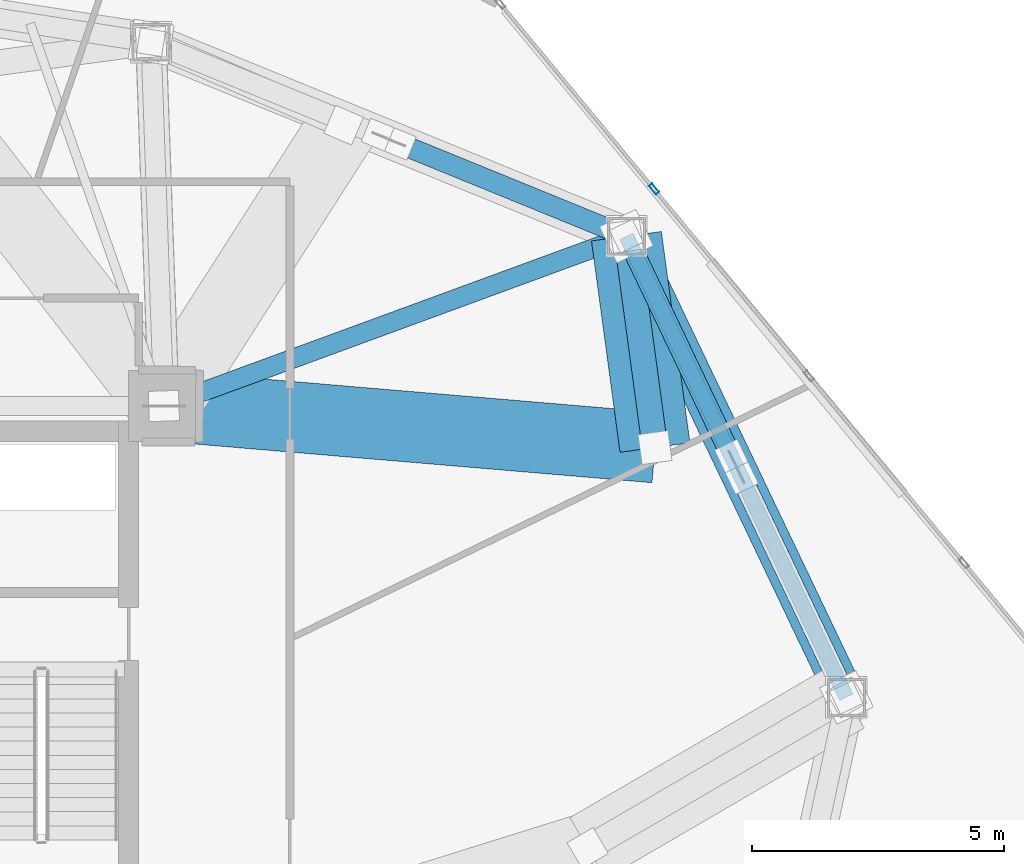
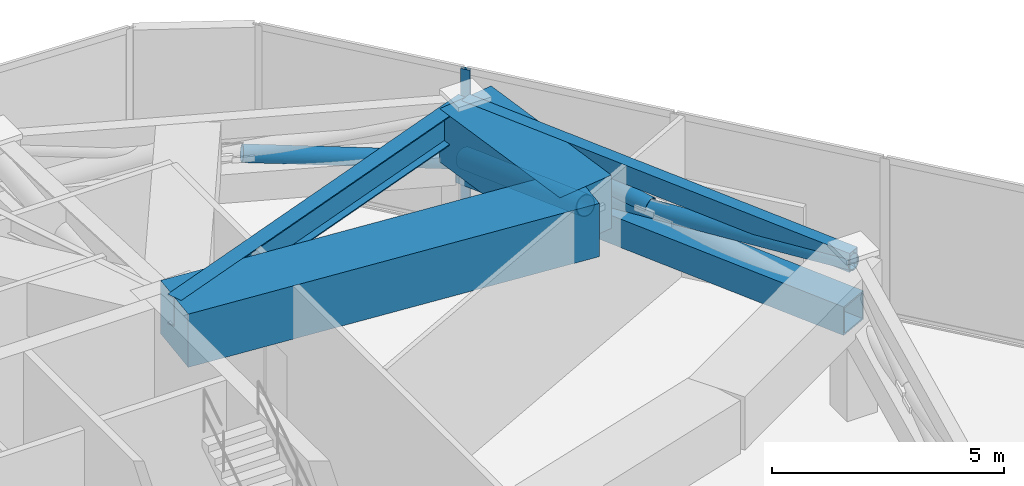
# One storey, part 14 of 25: 6 members, 4 beams, 1 element without a shape of its own.
"""IFC4 building model written with IfcOpenShell, lengths in metres."""

from ifc_helpers import new_model, si_unit, direction, frame, origin, origin_2d, place, context, subcontext, project, spatial, rectangle, hollow_rectangle, hollow_circle, i_section, extrude, source, transform, mapped, material, layer, layer_set, material_profile, profile_set, type_object, type_shapes, element, aggregate, save


model = new_model("IFC4")

# Units and contexts
model_context = context("Model", 3, precision=1e-05, world=origin(), true_north=direction((0.0, 1.0)))
body_context = subcontext(model_context, "Body", "Model", "MODEL_VIEW")
ifc_project = project(units=[si_unit("LENGTHUNIT", "METRE"), si_unit("AREAUNIT", "SQUARE_METRE"), si_unit("VOLUMEUNIT", "CUBIC_METRE"), si_unit("PLANEANGLEUNIT", "RADIAN"), si_unit("MASSUNIT", "GRAM", prefix="KILO")], contexts=[model_context])

# Site, building, storey
site_placement = place(None, origin())
site = spatial("IfcSite", under=ifc_project, at=site_placement, CompositionType="ELEMENT")
building_placement = place(site_placement, origin())
building = spatial("IfcBuilding", under=site, at=building_placement, Name="Talar Marvaseh", CompositionType="ELEMENT")
storey_placement = place(building_placement, frame((0.0, 0.0, 84.800048828125)))
storey = spatial("IfcBuildingStorey", under=building, at=storey_placement, Name="L21", CompositionType="ELEMENT", Elevation=84.800048828125)

# Beams
ifc_material_1 = material(Name="Concrete C70/85", Category="concrete")
ifc_material_profile_1 = material_profile(ifc_material_1, rectangle(XDim=1.39990234375, YDim=1.39990234375, at=origin_2d()), Name="RC1400x1400")
ifc_profile_set_1 = profile_set([ifc_material_profile_1], Name="Concrete C70/85")
beam_type_1 = type_object("IfcBeamType", Name="Setback Deep Concrete Transfer Girder RC1400x1400", PredefinedType="BEAM", material=ifc_profile_set_1)
beam_1_placement = place(storey_placement, frame((42.47705078125, 40.26904296875, 3.449951171875), z_axis=(0.133977623158, -0.99098435734, 0.0), x_axis=(0.99098435734, 0.133977623158, 0.0)))
element("IfcBeam", 1, at=beam_1_placement, inside=storey, type_object=beam_type_1, Name="L21 Setback Cantilever Transfer Girder 2", PredefinedType="BEAM", context=body_context, shape_type="SweptSolid", body=[
    extrude(rectangle(XDim=1.39990234375, YDim=1.39990234375, at=origin_2d()), origin(), (0.0, 0.0, 1.0), 4.231201171875),
])
beam_2_placement = place(storey_placement, frame((43.0439453125, 36.075927734375, 3.449951171875), z_axis=(-0.996443598923, 0.084262412527, 0.0), x_axis=(-0.084262412527, -0.996443598923, 0.0)))
element("IfcBeam", 2, at=beam_2_placement, inside=storey, type_object=beam_type_1, Name="L21 Setback Backspan Transfer Girder 2", PredefinedType="BEAM", context=body_context, shape_type="SweptSolid", body=[
    extrude(rectangle(XDim=1.39990234375, YDim=1.39990234375, at=origin_2d()), origin(), (0.0, 0.0, 1.0), 9.778564453125),
])
ifc_material_2 = material(Name="Steel S355", Category="steel")
ifc_material_profile_2 = material_profile(ifc_material_2, hollow_rectangle(XDim=0.300048828125, YDim=0.5, WallThickness=0.02001953125, at=origin_2d()), Name="RHS500x300x20")
ifc_profile_set_2 = profile_set([ifc_material_profile_2], Name="Steel S355")
beam_type_2 = type_object("IfcBeamType", Name="Zone 1 Perimeter Spandrel Beam RHS500x300x20", PredefinedType="SPANDREL", material=ifc_profile_set_2)
beam_3_placement = place(storey_placement, frame((42.47705078125, 40.26904296875, 3.89990234375), z_axis=(0.430480372911, -0.902599938255, 0.0), x_axis=(0.902599938255, 0.430480372911, 0.0)))
element("IfcBeam", 3, at=beam_3_placement, inside=storey, type_object=beam_type_2, Name="L21 Zone 1 Perimeter Spandrel Beam RHS500x300x20", PredefinedType="SPANDREL", context=body_context, shape_type="SweptSolid", body=[
    extrude(hollow_rectangle(XDim=0.300048828125, YDim=0.5, WallThickness=0.02001953125, at=origin_2d()), origin(), (0.0, 0.0, 1.0), 10.137451171875),
])
ifc_material_profile_3 = material_profile(ifc_material_2, i_section(OverallWidth=0.381103515625, OverallDepth=0.77294921875, WebThickness=0.0166015625, FlangeThickness=0.027099609375, at=origin_2d()), Name="W760x257")
ifc_profile_set_3 = profile_set([ifc_material_profile_3], Name="Steel S355")
beam_type_3 = type_object("IfcBeamType", Name="Zone 1 Radial Floor Girder W760x257", PredefinedType="BEAM", material=ifc_profile_set_3)
beam_4_placement = place(storey_placement, frame((42.47705078125, 40.26904296875, 3.763427734375), z_axis=(-0.938736057616, -0.344636930887, 0.0), x_axis=(0.344636930887, -0.938736057616, 0.0)))
element("IfcBeam", 4, at=beam_4_placement, inside=storey, type_object=beam_type_3, Name="L21 Zone 1 Radial Floor Girder W760x257", PredefinedType="BEAM", context=body_context, shape_type="SweptSolid", body=[
    extrude(i_section(OverallWidth=0.381103515625, OverallDepth=0.77294921875, WebThickness=0.0166015625, FlangeThickness=0.027099609375, at=origin_2d()), origin(), (0.0, 0.0, 1.0), 9.77587890625),
])

# Members
ifc_material_3 = material(Name="Steel S460", Category="steel")
ifc_material_profile_4 = material_profile(ifc_material_3, hollow_circle(Radius=0.25390625, WallThickness=0.02001953125, at=origin_2d()), Name="CHS508x20")
ifc_profile_set_4 = profile_set([ifc_material_profile_4], Name="Steel S460")
member_type_1 = type_object("IfcMemberType", Name="Crown Frame Diagonal Brace CHS508x20", PredefinedType="BRACE", material=ifc_profile_set_4)
shared_shape_1 = source(origin(), body_context, "Body", "SweptSolid", [
    extrude(hollow_circle(Radius=0.25390625, WallThickness=0.02001953125, at=origin_2d()), origin(), (0.0, 0.0, 1.0), 4.371826171875),
])
type_shapes(member_type_1, [shared_shape_1])
member_1_placement = place(storey_placement, frame((42.47705078125, 40.26904296875, 2.550048828125), z_axis=(0.129668609836, -0.959112133477, 0.251574973002), x_axis=(0.99098435734, 0.133977623158, 0.0)))
element("IfcMember", 5, at=member_1_placement, inside=storey, type_object=member_type_1, Name="L21 Setback Transfer Raked Strut 2", PredefinedType="BRACE", context=body_context, shape_type="MappedRepresentation", body=[
    mapped(shared_shape_1, transform((0.0, 0.0, 0.0), x_axis=(1.0, 0.0, 0.0), y_axis=(0.0, 1.0, 0.0), z_axis=(0.0, 0.0, 1.0), scale=1.0)),
])
ifc_material_profile_5 = material_profile(ifc_material_3, hollow_rectangle(XDim=0.75, YDim=0.75, WallThickness=0.0400390625, at=origin_2d()), Name="BOX750x750x40")
ifc_profile_set_5 = profile_set([ifc_material_profile_5], Name="Steel S460")
member_type_2 = type_object("IfcMemberType", Name="Belt Truss Chord Member BOX750x750x40", PredefinedType="CHORD", material=ifc_profile_set_5)
shared_shape_2 = source(origin(), body_context, "Body", "SweptSolid", [
    extrude(hollow_rectangle(XDim=0.75, YDim=0.75, WallThickness=0.0400390625, at=origin_2d()), origin(), (0.0, 0.0, 1.0), 10.137451171875),
])
type_shapes(member_type_2, [shared_shape_2])
member_2_placement = place(storey_placement, frame((42.47705078125, 40.26904296875, 2.5), z_axis=(0.430480372911, -0.902599938255, 0.0), x_axis=(0.902599938255, 0.430480372911, 0.0)))
element("IfcMember", 6, at=member_2_placement, inside=storey, type_object=member_type_2, Name="L21 Belt Truss Bottom Chord 1", PredefinedType="CHORD", context=body_context, shape_type="MappedRepresentation", body=[
    mapped(shared_shape_2, transform((0.0, 0.0, 0.0), x_axis=(1.0, 0.0, 0.0), y_axis=(0.0, 1.0, 0.0), z_axis=(0.0, 0.0, 1.0), scale=1.0)),
])
ifc_material_profile_6 = material_profile(ifc_material_3, hollow_circle(Radius=0.203125, WallThickness=0.01611328125, at=origin_2d()), Name="CHS406x16")
ifc_profile_set_6 = profile_set([ifc_material_profile_6], Name="Steel S460")
member_type_3 = type_object("IfcMemberType", Name="Belt Truss Diagonal Brace CHS406x16", PredefinedType="BRACE", material=ifc_profile_set_6)
shared_shape_3 = source(origin(), body_context, "Body", "SweptSolid", [
    extrude(hollow_circle(Radius=0.203125, WallThickness=0.01611328125, at=origin_2d()), origin(), (0.0, 0.0, 1.0), 10.22705078125),
])
member_3_placement = place(storey_placement, frame((42.47705078125, 40.26904296875, 2.5), z_axis=(0.426714180212, -0.894703259309, 0.131988962371), x_axis=(0.902599938255, 0.430480372911, 0.0)))
element("IfcMember", 7, at=member_3_placement, inside=storey, type_object=member_type_3, Name="L21 Belt Truss Continuous Diagonal 1", PredefinedType="BRACE", context=body_context, shape_type="MappedRepresentation", body=[
    mapped(shared_shape_3, transform((0.0, 0.0, 0.0), x_axis=(1.0, 0.0, 0.0), y_axis=(0.0, 1.0, 0.0), z_axis=(0.0, 0.0, 1.0), scale=1.0)),
])
shared_shape_4 = source(origin(), body_context, "Body", "SweptSolid", [
    extrude(hollow_circle(Radius=0.203125, WallThickness=0.01611328125, at=origin_2d()), origin(), (0.0, 0.0, 1.0), 4.87353515625),
])
member_4_placement = place(storey_placement, frame((44.556640625, 35.90869140625, 3.20654296875), z_axis=(-0.426711979223, 0.89470250633, 0.132001181645), x_axis=(-0.902600660232, -0.430478859119, 0.0)))
element("IfcMember", 8, at=member_4_placement, inside=storey, type_object=member_type_3, Name="L21 Belt Truss Split Diagonal Upper 1", PredefinedType="BRACE", context=body_context, shape_type="MappedRepresentation", body=[
    mapped(shared_shape_4, transform((0.0, 0.0, 0.0), x_axis=(1.0, 0.0, 0.0), y_axis=(0.0, 1.0, 0.0), z_axis=(0.0, 0.0, 1.0), scale=1.0)),
])
shared_shape_5 = source(origin(), body_context, "Body", "SweptSolid", [
    extrude(hollow_circle(Radius=0.203125, WallThickness=0.01611328125, at=origin_2d()), origin(), (0.0, 0.0, 1.0), 4.897705078125),
])
type_shapes(member_type_3, [shared_shape_3, shared_shape_4, shared_shape_5])
member_5_placement = place(storey_placement, frame((42.47705078125, 40.26904296875, 2.5), z_axis=(-0.917846519005, 0.37455595198, 0.131398654434), x_axis=(-0.377831902318, -0.925874210458, 0.0)))
element("IfcMember", 9, at=member_5_placement, inside=storey, type_object=member_type_3, Name="L21 Belt Truss Split Diagonal Lower 12", PredefinedType="BRACE", context=body_context, shape_type="MappedRepresentation", body=[
    mapped(shared_shape_5, transform((0.0, 0.0, 0.0), x_axis=(1.0, 0.0, 0.0), y_axis=(0.0, 1.0, 0.0), z_axis=(0.0, 0.0, 1.0), scale=1.0)),
])

# Curtain wall, member
ifc_material_4 = material(Name="Architectural Aluminium", Category="aluminium")
ifc_layer = layer(ifc_material_4, 0.219970703125)
ifc_layer_set = layer_set([ifc_layer], Name="Architectural Aluminium")
curtain_wall_type = type_object("IfcCurtainWallType", Name="Unitised Low-E Museum Curtain Wall Z1", PredefinedType="NOTDEFINED", material=ifc_layer_set)
curtain_wall_placement = place(storey_placement, origin())
curtain_wall = element("IfcCurtainWall", 10, at=curtain_wall_placement, inside=storey, type_object=curtain_wall_type, Name="L21 Unitised Low-E Museum Curtain Wall Z1", PredefinedType="NOTDEFINED")
ifc_material_profile_7 = material_profile(ifc_material_4, hollow_rectangle(XDim=0.080078125, YDim=0.219970703125, WallThickness=0.0048828125, at=origin_2d()), Name="RHS220x80x5")
ifc_profile_set_7 = profile_set([ifc_material_profile_7], Name="Architectural Aluminium")
member_type_4 = type_object("IfcMemberType", Name="Unitised Curtain Wall Heavy Mullion RHS220x80x5", PredefinedType="MULLION", material=ifc_profile_set_7)
shared_shape_6 = source(origin(), body_context, "Body", "SweptSolid", [
    extrude(hollow_rectangle(XDim=0.080078125, YDim=0.219970703125, WallThickness=0.0048828125, at=origin_2d()), origin(), (0.0, 0.0, 1.0), 4.14990234375),
])
type_shapes(member_type_4, [shared_shape_6])
member_6_placement = place(storey_placement, frame((43.025634765625, 41.205810546875, 0.0), z_axis=(0.0, 0.0, 1.0), x_axis=(0.769914815745, 0.638146673184, 0.0)))
member_6 = element("IfcMember", 11, at=member_6_placement, type_object=member_type_4, Name="CW-Z1 mullion 2", PredefinedType="MULLION", context=body_context, shape_type="MappedRepresentation", body=[
    mapped(shared_shape_6, transform((0.0, 0.0, 0.0), x_axis=(1.0, 0.0, 0.0), y_axis=(0.0, 1.0, 0.0), z_axis=(0.0, 0.0, 1.0), scale=1.0)),
])
aggregate(curtain_wall, [member_6])

save(model, "model.ifc")
